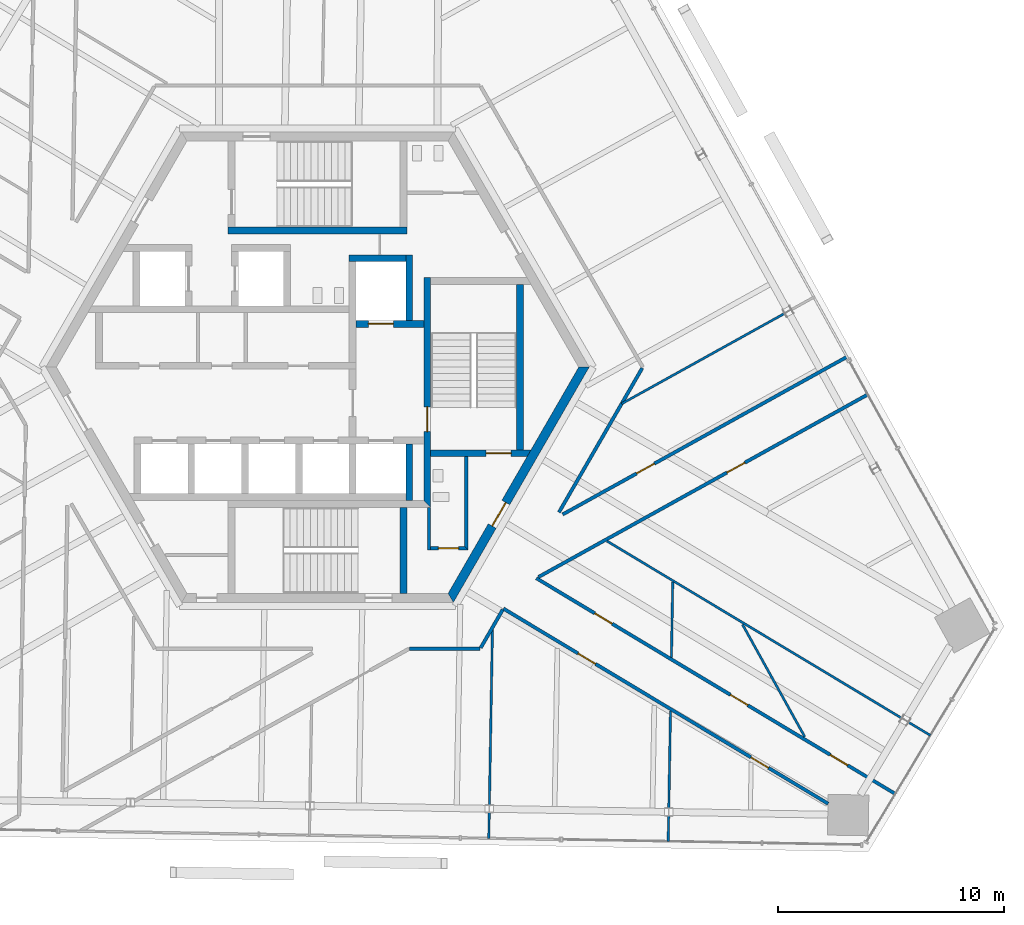
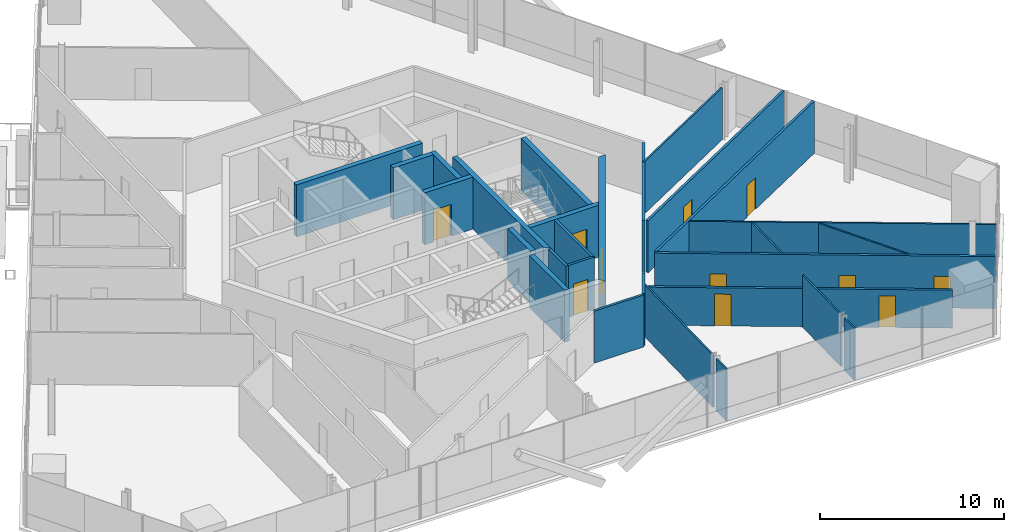
# One storey, part 13 of 18: 29 walls, 12 doors, 12 openings.
"""IFC4 building model written with IfcOpenShell, lengths in metres."""

from ifc_helpers import new_model, si_unit, direction, frame, frame_2d, origin, place, context, subcontext, project, spatial, polyline, rectangle, outline, extrude, source, transform, mapped, material, layer, layer_set, type_object, element, fill, save


model = new_model("IFC4")

# Units and contexts
model_context = context("Model", 3, precision=1e-05, world=origin(), true_north=direction((0.0, 1.0)))
body_context = subcontext(model_context, "Body", "Model", "MODEL_VIEW")
ifc_project = project(units=[si_unit("LENGTHUNIT", "METRE"), si_unit("AREAUNIT", "SQUARE_METRE"), si_unit("VOLUMEUNIT", "CUBIC_METRE"), si_unit("PLANEANGLEUNIT", "RADIAN"), si_unit("MASSUNIT", "GRAM", prefix="KILO")], contexts=[model_context])

# Site, building, storey
site_placement = place(None, origin())
site = spatial("IfcSite", under=ifc_project, at=site_placement, CompositionType="ELEMENT")
building_placement = place(site_placement, origin())
building = spatial("IfcBuilding", under=site, at=building_placement, Name="Triune Harvest Tower", CompositionType="ELEMENT")
storey_placement = place(building_placement, frame((0.0, 0.0, 197.89990234375)))
storey = spatial("IfcBuildingStorey", under=building, at=storey_placement, Name="L51", CompositionType="ELEMENT", Elevation=197.89990234375)

# Wall, openings, doors
ifc_material_1 = material(Name="Gypsum board on steel studs", Category="steel")
ifc_layer_1 = layer(ifc_material_1, 0.14990234375)
ifc_layer_set_1 = layer_set([ifc_layer_1], Name="Gypsum board on steel studs")
wall_type_1 = type_object("IfcWallType", Name="Fire Partition 150 mm", PredefinedType="PARTITIONING", material=ifc_layer_set_1)
wall_1_placement = place(storey_placement, frame((9.666015625, -9.32373046875, 0.0), z_axis=(0.0, 0.0, 1.0), x_axis=(0.857163175552, -0.51504494025, 0.0)))
wall_1 = element("IfcWall", 1, at=wall_1_placement, inside=storey, type_object=wall_type_1, Name="Partition L51 011", PredefinedType="PARTITIONING", context=body_context, shape_type="SweptSolid", body=[
    extrude(rectangle(XDim=18.49755859375, YDim=0.14990234375, at=frame_2d((9.248779296875, 0.0))), origin(), (0.0, 0.0, 1.0), 3.440185546875),
])
opening_1_placement = place(wall_1_placement, frame((3.009765625, 0.0, 0.0)))
opening_1 = element("IfcOpeningElement", 2, at=opening_1_placement, cuts=wall_1, Name="Opening L51-019", PredefinedType="OPENING", context=body_context, shape_type="SweptSolid", body=[
    extrude(rectangle(XDim=0.89990234375, YDim=2.10009765625, at=frame_2d((0.449951171875, 1.050048828125))), frame((0.0, 0.0849609375, 0.0), z_axis=(0.0, -1.0, 0.0), x_axis=(1.0, 0.0, 0.0)), (0.0, 0.0, 1.0), 0.169921875),
])
opening_2_placement = place(wall_1_placement, frame((9.998291015625, 0.0, 0.0)))
opening_2 = element("IfcOpeningElement", 3, at=opening_2_placement, cuts=wall_1, Name="Opening L51-020", PredefinedType="OPENING", context=body_context, shape_type="SweptSolid", body=[
    extrude(rectangle(XDim=0.89990234375, YDim=2.10009765625, at=frame_2d((0.449951171875, 1.050048828125))), frame((0.0, 0.0849609375, 0.0), z_axis=(0.0, -1.0, 0.0), x_axis=(1.0, 0.0, 0.0)), (0.0, 0.0, 1.0), 0.169921875),
])
opening_3_placement = place(wall_1_placement, frame((15.147705078125, 0.0, 0.0)))
opening_3 = element("IfcOpeningElement", 4, at=opening_3_placement, cuts=wall_1, Name="Opening L51-022", PredefinedType="OPENING", context=body_context, shape_type="SweptSolid", body=[
    extrude(rectangle(XDim=0.89990234375, YDim=2.10009765625, at=frame_2d((0.449951171875, 1.050048828125))), frame((0.0, 0.0849609375, 0.0), z_axis=(0.0, -1.0, 0.0), x_axis=(1.0, 0.0, 0.0)), (0.0, 0.0, 1.0), 0.169921875),
])
ifc_material_2 = material(Name="Timber and steel door set", Category="steel")
door_type_1 = type_object("IfcDoorType", Name="Single leaf door FD30 left hand 900 x 2100", OperationType="SINGLE_SWING_LEFT", PredefinedType="DOOR", material=ifc_material_2)
door_1_placement = place(opening_1_placement, origin())
door_1 = element("IfcDoor", 5, at=door_1_placement, inside=storey, type_object=door_type_1, Name="Door L51-019 Open Office 51.19", OperationType="SINGLE_SWING_LEFT", OverallHeight=2.10009765625, OverallWidth=0.89990234375, PredefinedType="DOOR", context=body_context, shape_type="SweptSolid", body=[
    extrude(rectangle(XDim=0.89990234375, YDim=2.10009765625, at=frame_2d((0.449951171875, 1.050048828125))), frame((0.0, 0.02490234375, 0.0), z_axis=(0.0, -1.0, 0.0), x_axis=(1.0, 0.0, 0.0)), (0.0, 0.0, 1.0), 0.050048828125),
])
fill(opening_1, door_1)
ifc_material_3 = material(Name="Timber and steel door set", Category="steel")
door_type_2 = type_object("IfcDoorType", Name="Single leaf door FD30 right hand 900 x 2100", OperationType="SINGLE_SWING_RIGHT", PredefinedType="DOOR", material=ifc_material_3)
door_2_placement = place(opening_2_placement, origin())
door_2 = element("IfcDoor", 6, at=door_2_placement, inside=storey, type_object=door_type_2, Name="Door L51-020 Dry Store Room 51.20", OperationType="SINGLE_SWING_RIGHT", OverallHeight=2.10009765625, OverallWidth=0.89990234375, PredefinedType="DOOR", context=body_context, shape_type="SweptSolid", body=[
    extrude(rectangle(XDim=0.89990234375, YDim=2.10009765625, at=frame_2d((0.449951171875, 1.050048828125))), frame((0.0, 0.02490234375, 0.0), z_axis=(0.0, -1.0, 0.0), x_axis=(1.0, 0.0, 0.0)), (0.0, 0.0, 1.0), 0.050048828125),
])
fill(opening_2, door_2)
door_3_placement = place(opening_3_placement, origin())
door_3 = element("IfcDoor", 7, at=door_3_placement, inside=storey, type_object=door_type_2, Name="Door L51-022 Open Office 51.22", OperationType="SINGLE_SWING_RIGHT", OverallHeight=2.10009765625, OverallWidth=0.89990234375, PredefinedType="DOOR", context=body_context, shape_type="SweptSolid", body=[
    extrude(rectangle(XDim=0.89990234375, YDim=2.10009765625, at=frame_2d((0.449951171875, 1.050048828125))), frame((0.0, 0.02490234375, 0.0), z_axis=(0.0, -1.0, 0.0), x_axis=(1.0, 0.0, 0.0)), (0.0, 0.0, 1.0), 0.050048828125),
])
fill(opening_3, door_3)

# Wall
wall_2_placement = place(storey_placement, frame((4.06005859375, -12.4423828125, 0.0), z_axis=(0.0, 0.0, 1.0), x_axis=(1.0, 0.0, 0.0)))
element("IfcWall", 8, at=wall_2_placement, inside=storey, type_object=wall_type_1, Name="Partition L51 022", PredefinedType="PARTITIONING", context=body_context, shape_type="SweptSolid", body=[
    extrude(rectangle(XDim=3.12353515625, YDim=0.14990234375, at=frame_2d((1.561767578125, 0.0))), origin(), (0.0, 0.0, 1.0), 3.440185546875),
])

# Wall, opening, door
wall_3_placement = place(storey_placement, frame((9.76220703125, -9.2705078125, 0.0), z_axis=(0.0, 0.0, 1.0), x_axis=(0.874617301304, 0.484813960462, 0.0)))
wall_3 = element("IfcWall", 9, at=wall_3_placement, inside=storey, type_object=wall_type_1, Name="Partition L51 026", PredefinedType="PARTITIONING", context=body_context, shape_type="SweptSolid", body=[
    extrude(rectangle(XDim=16.633056640625, YDim=0.14990234375, at=frame_2d((8.31640625, 0.0))), origin(), (0.0, 0.0, 1.0), 3.440185546875),
])
opening_4_placement = place(wall_3_placement, frame((9.519775390625, 0.0, 0.0)))
opening_4 = element("IfcOpeningElement", 10, at=opening_4_placement, cuts=wall_3, Name="Opening L51-002", PredefinedType="OPENING", context=body_context, shape_type="SweptSolid", body=[
    extrude(rectangle(XDim=0.89990234375, YDim=2.10009765625, at=frame_2d((0.449951171875, 1.050048828125))), frame((0.0, 0.0849609375, 0.0), z_axis=(0.0, -1.0, 0.0), x_axis=(1.0, 0.0, 0.0)), (0.0, 0.0, 1.0), 0.169921875),
])
door_4_placement = place(opening_4_placement, origin())
door_4 = element("IfcDoor", 11, at=door_4_placement, inside=storey, type_object=door_type_1, Name="Door L51-002 Office 51.02", OperationType="SINGLE_SWING_LEFT", OverallHeight=2.10009765625, OverallWidth=0.89990234375, PredefinedType="DOOR", context=body_context, shape_type="SweptSolid", body=[
    extrude(rectangle(XDim=0.89990234375, YDim=2.10009765625, at=frame_2d((0.449951171875, 1.050048828125))), frame((0.0, 0.02490234375, 0.0), z_axis=(0.0, -1.0, 0.0), x_axis=(1.0, 0.0, 0.0)), (0.0, 0.0, 1.0), 0.050048828125),
])
fill(opening_4, door_4)

wall_4_placement = place(storey_placement, frame((10.825927734375, -6.50830078125, 0.0), z_axis=(0.0, 0.0, 1.0), x_axis=(0.874624284817, 0.484801361806, 0.0)))
wall_4 = element("IfcWall", 12, at=wall_4_placement, inside=storey, type_object=wall_type_1, Name="Partition L51 029", PredefinedType="PARTITIONING", context=body_context, shape_type="SweptSolid", body=[
    extrude(rectangle(XDim=14.36376953125, YDim=0.14990234375, at=frame_2d((7.181884765625, 0.0))), origin(), (0.0, 0.0, 1.0), 3.440185546875),
])
opening_5_placement = place(wall_4_placement, frame((3.739013671875, 0.0, 0.0)))
opening_5 = element("IfcOpeningElement", 13, at=opening_5_placement, cuts=wall_4, Name="Opening L51-001", PredefinedType="OPENING", context=body_context, shape_type="SweptSolid", body=[
    extrude(rectangle(XDim=0.89990234375, YDim=2.10009765625, at=frame_2d((0.449951171875, 1.050048828125))), frame((0.0, 0.0849609375, 0.0), z_axis=(0.0, -1.0, 0.0), x_axis=(1.0, 0.0, 0.0)), (0.0, 0.0, 1.0), 0.169921875),
])
door_5_placement = place(opening_5_placement, origin())
door_5 = element("IfcDoor", 14, at=door_5_placement, inside=storey, type_object=door_type_1, Name="Door L51-001 Meeting Room 51.01", OperationType="SINGLE_SWING_LEFT", OverallHeight=2.10009765625, OverallWidth=0.89990234375, PredefinedType="DOOR", context=body_context, shape_type="SweptSolid", body=[
    extrude(rectangle(XDim=0.89990234375, YDim=2.10009765625, at=frame_2d((0.449951171875, 1.050048828125))), frame((0.0, 0.02490234375, 0.0), z_axis=(0.0, -1.0, 0.0), x_axis=(1.0, 0.0, 0.0)), (0.0, 0.0, 1.0), 0.050048828125),
])
fill(opening_5, door_5)

# Walls
wall_5_placement = place(storey_placement, frame((7.20849609375, -12.39892578125, 0.0), z_axis=(0.0, 0.0, 1.0), x_axis=(0.50001992892, 0.866013897511, 0.0)))
element("IfcWall", 15, at=wall_5_placement, inside=storey, type_object=wall_type_1, Name="Partition L51 033", PredefinedType="PARTITIONING", context=body_context, shape_type="SweptSolid", body=[
    extrude(rectangle(XDim=1.94189453125, YDim=0.14990234375, at=frame_2d((0.970947265625, 0.0))), origin(), (0.0, 0.0, 1.0), 3.440185546875),
])
wall_6_placement = place(storey_placement, frame((10.665283203125, -6.411865234375, 0.0), z_axis=(0.0, 0.0, 1.0), x_axis=(0.499981098153, 0.866036316496, 0.0)))
element("IfcWall", 16, at=wall_6_placement, inside=storey, type_object=wall_type_1, Name="Partition L51 034", PredefinedType="PARTITIONING", context=body_context, shape_type="SweptSolid", body=[
    extrude(rectangle(XDim=7.353759765625, YDim=0.14990234375, at=frame_2d((3.6767578125, 0.0))), origin(), (0.0, 0.0, 1.0), 3.440185546875),
])
ifc_material_4 = material(Name="Gypsum board on steel studs", Category="steel")
ifc_layer_2 = layer(ifc_material_4, 0.10009765625)
ifc_layer_set_2 = layer_set([ifc_layer_2], Name="Gypsum board on steel studs")
wall_type_2 = type_object("IfcWallType", Name="Partition 100 mm", PredefinedType="PARTITIONING", material=ifc_layer_set_2)
wall_7_placement = place(storey_placement, frame((18.772705078125, -11.367431640625, 0.0), z_axis=(0.0, 0.0, 1.0), x_axis=(0.484824835032, -0.874611273273, 0.0)))
element("IfcWall", 17, at=wall_7_placement, inside=storey, type_object=wall_type_2, Name="Partition L51 001", PredefinedType="PARTITIONING", context=body_context, shape_type="SweptSolid", body=[
    extrude(rectangle(XDim=5.67724609375, YDim=0.10009765625, at=frame_2d((2.838623046875, 0.0))), origin(), (0.0, 0.0, 1.0), 3.440185546875),
])
wall_8_placement = place(storey_placement, frame((12.78662109375, -7.68310546875, 0.0), z_axis=(0.0, 0.0, 1.0), x_axis=(0.857170922582, -0.515032047042, 0.0)))
element("IfcWall", 18, at=wall_8_placement, inside=storey, type_object=wall_type_2, Name="Partition L51 014", PredefinedType="PARTITIONING", context=body_context, shape_type="SweptSolid", body=[
    extrude(rectangle(XDim=15.194091796875, YDim=0.10009765625, at=frame_2d((7.59716796875, 0.0))), origin(), (0.0, 0.0, 1.0), 3.440185546875),
])
wall_9_placement = place(storey_placement, frame((13.433349609375, -1.617431640625, 0.0), z_axis=(0.0, 0.0, 1.0), x_axis=(0.874618165904, 0.484812400698, 0.0)))
element("IfcWall", 19, at=wall_9_placement, inside=storey, type_object=wall_type_2, Name="Partition L51 030", PredefinedType="PARTITIONING", context=body_context, shape_type="SweptSolid", body=[
    extrude(rectangle(XDim=8.238525390625, YDim=0.10009765625, at=frame_2d((4.119140625, 0.0))), origin(), (0.0, 0.0, 1.0), 3.440185546875),
])
wall_10_placement = place(storey_placement, frame((15.51708984375, -19.47705078125, 0.0), z_axis=(0.0, 0.0, 1.0), x_axis=(0.017430269064, 0.999848081321, 0.0)))
element("IfcWall", 20, at=wall_10_placement, inside=storey, type_object=wall_type_2, Name="Partition L51 038", PredefinedType="PARTITIONING", context=body_context, shape_type="SweptSolid", body=[
    extrude(rectangle(XDim=4.2861328125, YDim=0.10009765625, at=frame_2d((2.14306640625, 0.0))), origin(), (0.0, 0.0, 1.0), 3.440185546875),
])
wall_11_placement = place(storey_placement, frame((15.63330078125, -12.818359375, 0.0), z_axis=(0.0, 0.0, 1.0), x_axis=(0.01742766831, 0.999848126656, 0.0)))
element("IfcWall", 21, at=wall_11_placement, inside=storey, type_object=wall_type_2, Name="Partition L51 039", PredefinedType="PARTITIONING", context=body_context, shape_type="SweptSolid", body=[
    extrude(rectangle(XDim=3.320068359375, YDim=0.10009765625, at=frame_2d((1.66015625, 0.0))), origin(), (0.0, 0.0, 1.0), 3.440185546875),
])
wall_12_placement = place(storey_placement, frame((7.5908203125, -19.3388671875, 0.0), z_axis=(0.0, 0.0, 1.0), x_axis=(0.017469070781, 0.99984740414, 0.0)))
element("IfcWall", 22, at=wall_12_placement, inside=storey, type_object=wall_type_2, Name="Partition L51 041", PredefinedType="PARTITIONING", context=body_context, shape_type="SweptSolid", body=[
    extrude(rectangle(XDim=7.84033203125, YDim=0.10009765625, at=frame_2d((3.920166015625, 0.0))), origin(), (0.0, 0.0, 1.0), 3.440185546875),
])

# Wall, opening, door
ifc_material_5 = material(Name="Concrete 70 MPa", Category="concrete")
ifc_layer_3 = layer(ifc_material_5, 0.39990234375)
ifc_layer_set_3 = layer_set([ifc_layer_3], Name="Concrete 70 MPa")
wall_type_3 = type_object("IfcWallType", Name="Core wall 400", PredefinedType="SHEAR", material=ifc_layer_set_3)
shared_shape_1 = source(origin(), body_context, "Body", "SweptSolid", [
    extrude(outline(polyline([(-0.115478515625, -0.199951171875), (11.884521484375, -0.199951171875), (11.653564453125, 0.199951171875), (0.115478515625, 0.199951171875), (-0.115478515625, -0.199951171875)])), origin(), (0.0, 0.0, 1.0), 3.440185546875),
])
wall_13_placement = place(storey_placement, frame((5.884521484375, -10.1923828125, 0.0), z_axis=(0.0, 0.0, 1.0), x_axis=(0.499996592174, 0.866027371285, 0.0)))
wall_13 = element("IfcWall", 23, at=wall_13_placement, inside=storey, type_object=wall_type_3, Name="Hexagon 5 wall", PredefinedType="SHEAR", context=body_context, shape_type="MappedRepresentation", body=[
    mapped(shared_shape_1, transform((0.0, 0.0, 0.0), scale=1.0)),
])
opening_6_placement = place(wall_13_placement, frame((3.66455078125, 0.0, 0.0)))
opening_6 = element("IfcOpeningElement", 24, at=opening_6_placement, cuts=wall_13, Name="Opening CD-DP", PredefinedType="OPENING", context=body_context, shape_type="SweptSolid", body=[
    extrude(rectangle(XDim=1.199951171875, YDim=2.10009765625, at=frame_2d((0.60009765625, 1.050048828125))), frame((0.0, 0.2099609375, 0.0), z_axis=(0.0, -1.0, 0.0), x_axis=(1.0, 0.0, 0.0)), (0.0, 0.0, 1.0), 0.419921875),
])
ifc_material_6 = material(Name="Steel S235", Category="steel")
door_type_3 = type_object("IfcDoorType", Name="Stair door 1200 FD120", OperationType="SINGLE_SWING_LEFT", PredefinedType="DOOR", material=ifc_material_6)
door_6_placement = place(opening_6_placement, frame((1.199951171875, 0.0, 0.0), z_axis=(0.0, 0.0, 1.0), x_axis=(-1.0, 0.0, 0.0)))
door_6 = element("IfcDoor", 25, at=door_6_placement, inside=storey, type_object=door_type_3, Name="Door CD-DP", OperationType="SINGLE_SWING_RIGHT", OverallHeight=2.10009765625, OverallWidth=1.199951171875, PredefinedType="DOOR", context=body_context, shape_type="SweptSolid", body=[
    extrude(rectangle(XDim=1.199951171875, YDim=2.10009765625, at=frame_2d((0.60009765625, 1.050048828125))), frame((0.0, 0.02490234375, 0.0), z_axis=(0.0, -1.0, 0.0), x_axis=(1.0, 0.0, 0.0)), (0.0, 0.0, 1.0), 0.050048828125),
])
fill(opening_6, door_6)

# Walls
ifc_material_7 = material(Name="Concrete 70 MPa", Category="concrete")
ifc_layer_4 = layer(ifc_material_7, 0.300048828125)
ifc_layer_set_4 = layer_set([ifc_layer_4], Name="Concrete 70 MPa")
wall_type_4 = type_object("IfcWallType", Name="Core wall 300", PredefinedType="SHEAR", material=ifc_layer_set_4)
shared_shape_2 = source(origin(), body_context, "Body", "SweptSolid", [
    extrude(rectangle(XDim=2.5, YDim=0.300048828125, at=frame_2d((1.25, 0.0))), origin(), (0.0, 0.0, 1.0), 3.440185546875),
])
for number, where, z_axis, x_axis, name in (
    (26, (1.39990234375, 4.81005859375, 0.0), (0.0, 0.0, 1.0), (1.0, 0.0, 0.0), "Ff1 back wall"),
    (27, (4.050048828125, -5.889892578125, 0.0), (0.0, 0.0, 1.0), (0.0, 1.0, 0.0), "Ff2 east wall"),
):
    element("IfcWall", number, at=place(storey_placement, frame(where, z_axis=z_axis, x_axis=x_axis)), inside=storey, type_object=wall_type_4, Name=name, PredefinedType="SHEAR", context=body_context, shape_type="MappedRepresentation", body=[
        mapped(shared_shape_2, transform((0.0, 0.0, 0.0), scale=1.0)),
    ])

# Wall, opening, door
shared_shape_3 = source(origin(), body_context, "Body", "SweptSolid", [
    extrude(rectangle(XDim=3.0, YDim=0.300048828125, at=frame_2d((1.5, 0.0))), origin(), (0.0, 0.0, 1.0), 3.440185546875),
])
wall_14_placement = place(storey_placement, frame((1.699951171875, 1.909912109375, 0.0), z_axis=(0.0, 0.0, 1.0), x_axis=(1.0, 0.0, 0.0)))
wall_14 = element("IfcWall", 28, at=wall_14_placement, inside=storey, type_object=wall_type_4, Name="Ff1 front wall", PredefinedType="SHEAR", context=body_context, shape_type="MappedRepresentation", body=[
    mapped(shared_shape_3, transform((0.0, 0.0, 0.0), scale=1.0)),
])
opening_7_placement = place(wall_14_placement, frame((0.550048828125, 0.0, 0.0)))
opening_7 = element("IfcOpeningElement", 29, at=opening_7_placement, cuts=wall_14, Name="Opening LD-FF1-51", PredefinedType="OPENING", context=body_context, shape_type="SweptSolid", body=[
    extrude(rectangle(XDim=1.10009765625, YDim=2.10009765625, at=frame_2d((0.550048828125, 1.050048828125))), frame((0.0, 0.16015625, 0.0), z_axis=(0.0, -1.0, 0.0), x_axis=(1.0, 0.0, 0.0)), (0.0, 0.0, 1.0), 0.320068359375),
])
ifc_material_8 = material(Name="Stainless steel AISI 304", Category="steel")
door_type_4 = type_object("IfcDoorType", Name="Landing door 1100 x 2100", OperationType="DOUBLE_DOOR_SLIDING", PredefinedType="DOOR", material=ifc_material_8)
door_7_placement = place(opening_7_placement, origin())
door_7 = element("IfcDoor", 30, at=door_7_placement, inside=storey, type_object=door_type_4, Name="Door LD-FF1-51", OperationType="DOUBLE_DOOR_SLIDING", OverallHeight=2.10009765625, OverallWidth=1.10009765625, PredefinedType="DOOR", context=body_context, shape_type="SweptSolid", body=[
    extrude(rectangle(XDim=1.10009765625, YDim=2.10009765625, at=frame_2d((0.550048828125, 1.050048828125))), frame((0.0, 0.02490234375, 0.0), z_axis=(0.0, -1.0, 0.0), x_axis=(1.0, 0.0, 0.0)), (0.0, 0.0, 1.0), 0.050048828125),
])
fill(opening_7, door_7)

# Wall
shared_shape_4 = source(origin(), body_context, "Body", "SweptSolid", [
    extrude(rectangle(XDim=2.89990234375, YDim=0.300048828125, at=frame_2d((1.449951171875, 0.0))), origin(), (0.0, 0.0, 1.0), 3.440185546875),
])
wall_15_placement = place(storey_placement, frame((4.050048828125, 2.06005859375, 0.0), z_axis=(0.0, 0.0, 1.0), x_axis=(0.0, 1.0, 0.0)))
element("IfcWall", 31, at=wall_15_placement, inside=storey, type_object=wall_type_4, Name="Ff1 east wall", PredefinedType="SHEAR", context=body_context, shape_type="MappedRepresentation", body=[
    mapped(shared_shape_4, transform((0.0, 0.0, 0.0), scale=1.0)),
])

# Wall, opening, door
shared_shape_5 = source(origin(), body_context, "Body", "SweptSolid", [
    extrude(outline(polyline([(-0.14990234375, -0.14990234375), (9.989990234375, -0.14990234375), (9.989990234375, 0.14990234375), (0.14990234375, 0.14990234375), (-0.14990234375, -0.14990234375)])), origin(), (0.0, 0.0, 1.0), 3.440185546875),
])
wall_16_placement = place(storey_placement, frame((4.85009765625, -6.0400390625, 0.0), z_axis=(0.0, 0.0, 1.0), x_axis=(0.0, 1.0, 0.0)))
wall_16 = element("IfcWall", 32, at=wall_16_placement, inside=storey, type_object=wall_type_4, Name="Stair e west wall", PredefinedType="SHEAR", context=body_context, shape_type="MappedRepresentation", body=[
    mapped(shared_shape_5, transform((0.0, 0.0, 0.0), scale=1.0)),
])
opening_8_placement = place(wall_16_placement, frame((3.18994140625, 0.0, 0.0)))
opening_8 = element("IfcOpeningElement", 33, at=opening_8_placement, cuts=wall_16, Name="Opening CD-S3L", PredefinedType="OPENING", context=body_context, shape_type="SweptSolid", body=[
    extrude(rectangle(XDim=1.10009765625, YDim=2.10009765625, at=frame_2d((0.550048828125, 1.050048828125))), frame((0.0, 0.16015625, 0.0), z_axis=(0.0, -1.0, 0.0), x_axis=(1.0, 0.0, 0.0)), (0.0, 0.0, 1.0), 0.320068359375),
])
ifc_material_9 = material(Name="Steel S235", Category="steel")
door_type_5 = type_object("IfcDoorType", Name="Stair door 1100 FD120", OperationType="SINGLE_SWING_LEFT", PredefinedType="DOOR", material=ifc_material_9)
door_8_placement = place(opening_8_placement, frame((1.10009765625, 0.0, 0.0), z_axis=(0.0, 0.0, 1.0), x_axis=(-1.0, 0.0, 0.0)))
door_8 = element("IfcDoor", 34, at=door_8_placement, inside=storey, type_object=door_type_5, Name="Door CD-S3L", OperationType="SINGLE_SWING_RIGHT", OverallHeight=2.10009765625, OverallWidth=1.10009765625, PredefinedType="DOOR", context=body_context, shape_type="SweptSolid", body=[
    extrude(rectangle(XDim=1.10009765625, YDim=2.10009765625, at=frame_2d((0.550048828125, 1.050048828125))), frame((0.0, 0.02490234375, 0.0), z_axis=(0.0, -1.0, 0.0), x_axis=(1.0, 0.0, 0.0)), (0.0, 0.0, 1.0), 0.050048828125),
])
fill(opening_8, door_8)

shared_shape_6 = source(origin(), body_context, "Body", "SweptSolid", [
    extrude(outline(polyline([(0.0, -0.14990234375), (0.0, 0.14990234375), (4.43310546875, 0.14990234375), (4.260009765625, -0.14990234375), (0.0, -0.14990234375)])), origin(), (0.0, 0.0, 1.0), 3.440185546875),
])
wall_17_placement = place(storey_placement, frame((5.0, -3.800048828125, 0.0), z_axis=(0.0, 0.0, 1.0), x_axis=(1.0, 0.0, 0.0)))
wall_17 = element("IfcWall", 35, at=wall_17_placement, inside=storey, type_object=wall_type_4, Name="Stair e south wall", PredefinedType="SHEAR", context=body_context, shape_type="MappedRepresentation", body=[
    mapped(shared_shape_6, transform((0.0, 0.0, 0.0), scale=1.0)),
])
opening_9_placement = place(wall_17_placement, frame((2.449951171875, 0.0, 0.0)))
opening_9 = element("IfcOpeningElement", 36, at=opening_9_placement, cuts=wall_17, Name="Opening CD-S3D", PredefinedType="OPENING", context=body_context, shape_type="SweptSolid", body=[
    extrude(rectangle(XDim=1.10009765625, YDim=2.10009765625, at=frame_2d((0.550048828125, 1.050048828125))), frame((0.0, 0.16015625, 0.0), z_axis=(0.0, -1.0, 0.0), x_axis=(1.0, 0.0, 0.0)), (0.0, 0.0, 1.0), 0.320068359375),
])
door_9_placement = place(opening_9_placement, frame((1.10009765625, 0.0, 0.0), z_axis=(0.0, 0.0, 1.0), x_axis=(-1.0, 0.0, 0.0)))
door_9 = element("IfcDoor", 37, at=door_9_placement, inside=storey, type_object=door_type_5, Name="Door CD-S3D", OperationType="SINGLE_SWING_RIGHT", OverallHeight=2.10009765625, OverallWidth=1.10009765625, PredefinedType="DOOR", context=body_context, shape_type="SweptSolid", body=[
    extrude(rectangle(XDim=1.10009765625, YDim=2.10009765625, at=frame_2d((0.550048828125, 1.050048828125))), frame((0.0, 0.02490234375, 0.0), z_axis=(0.0, -1.0, 0.0), x_axis=(1.0, 0.0, 0.0)), (0.0, 0.0, 1.0), 0.050048828125),
])
fill(opening_9, door_9)

# Walls
shared_shape_7 = source(origin(), body_context, "Body", "SweptSolid", [
    extrude(rectangle(XDim=7.2998046875, YDim=0.300048828125, at=frame_2d((3.64990234375, 0.0))), origin(), (0.0, 0.0, 1.0), 3.440185546875),
])
wall_18_placement = place(storey_placement, frame((8.949951171875, -3.64990234375, 0.0), z_axis=(0.0, 0.0, 1.0), x_axis=(0.0, 1.0, 0.0)))
element("IfcWall", 38, at=wall_18_placement, inside=storey, type_object=wall_type_4, Name="Stair e east wall", PredefinedType="SHEAR", context=body_context, shape_type="MappedRepresentation", body=[
    mapped(shared_shape_7, transform((0.0, 0.0, 0.0), scale=1.0)),
])
shared_shape_8 = source(origin(), body_context, "Body", "SweptSolid", [
    extrude(rectangle(XDim=7.89990234375, YDim=0.300048828125, at=frame_2d((3.949951171875, 0.0))), origin(), (0.0, 0.0, 1.0), 3.440185546875),
])
wall_19_placement = place(storey_placement, frame((-3.949951171875, 6.0400390625, 0.0), z_axis=(0.0, 0.0, 1.0), x_axis=(1.0, 0.0, 0.0)))
element("IfcWall", 39, at=wall_19_placement, inside=storey, type_object=wall_type_4, Name="Stair n south wall", PredefinedType="SHEAR", context=body_context, shape_type="MappedRepresentation", body=[
    mapped(shared_shape_8, transform((0.0, 0.0, 0.0), scale=1.0)),
])
shared_shape_9 = source(origin(), body_context, "Body", "SweptSolid", [
    extrude(outline(polyline([(3.800048828125, -0.14990234375), (-0.00439453125, -0.14990234375), (-0.00439453125, 0.14990234375), (3.800048828125, 0.14990234375), (3.800048828125, -0.14990234375)])), origin(), (0.0, 0.0, 1.0), 3.440185546875),
])
wall_20_placement = place(storey_placement, frame((3.800048828125, -9.989990234375, 0.0), z_axis=(0.0, 0.0, 1.0), x_axis=(0.0, 1.0, 0.0)))
element("IfcWall", 40, at=wall_20_placement, inside=storey, type_object=wall_type_4, Name="Stair s east wall", PredefinedType="SHEAR", context=body_context, shape_type="MappedRepresentation", body=[
    mapped(shared_shape_9, transform((0.0, 0.0, 0.0), scale=1.0)),
])

# Wall, opening, door
ifc_material_10 = material(Name="Concrete masonry unit", Category="masonry")
ifc_layer_5 = layer(ifc_material_10, 0.14990234375)
ifc_layer_set_5 = layer_set([ifc_layer_5], Name="Concrete masonry unit")
wall_type_5 = type_object("IfcWallType", Name="Block partition 150 unrated", PredefinedType="PARTITIONING", material=ifc_layer_set_5)
shared_shape_10 = source(origin(), body_context, "Body", "SweptSolid", [
    extrude(outline(polyline([(0.0, -0.074951171875), (1.64990234375, -0.074951171875), (1.5, 0.074951171875), (0.0, 0.074951171875), (0.0, -0.074951171875)])), origin(), (0.0, 0.0, 1.0), 3.440185546875),
])
wall_21_placement = place(storey_placement, frame((5.0, -8.0, 0.0), z_axis=(0.0, 0.0, 1.0), x_axis=(1.0, 0.0, 0.0)))
wall_21 = element("IfcWall", 41, at=wall_21_placement, inside=storey, type_object=wall_type_5, Name="Wc acc south wall", PredefinedType="PARTITIONING", context=body_context, shape_type="MappedRepresentation", body=[
    mapped(shared_shape_10, transform((0.0, 0.0, 0.0), scale=1.0)),
])
opening_10_placement = place(wall_21_placement, frame((0.33740234375, 0.0, 0.0)))
opening_10 = element("IfcOpeningElement", 42, at=opening_10_placement, cuts=wall_21, Name="Opening CD-WA", PredefinedType="OPENING", context=body_context, shape_type="SweptSolid", body=[
    extrude(rectangle(XDim=0.89990234375, YDim=2.10009765625, at=frame_2d((0.449951171875, 1.050048828125))), frame((0.0, 0.0849609375, 0.0), z_axis=(0.0, -1.0, 0.0), x_axis=(1.0, 0.0, 0.0)), (0.0, 0.0, 1.0), 0.169921875),
])
ifc_material_11 = material(Name="Timber C24", Category="wood")
door_type_6 = type_object("IfcDoorType", Name="WC door 900", OperationType="SINGLE_SWING_LEFT", PredefinedType="DOOR", material=ifc_material_11)
door_10_placement = place(opening_10_placement, origin())
door_10 = element("IfcDoor", 43, at=door_10_placement, inside=storey, type_object=door_type_6, Name="Door CD-WA", OperationType="SINGLE_SWING_LEFT", OverallHeight=2.10009765625, OverallWidth=0.89990234375, PredefinedType="DOOR", context=body_context, shape_type="SweptSolid", body=[
    extrude(rectangle(XDim=0.89990234375, YDim=2.10009765625, at=frame_2d((0.449951171875, 1.050048828125))), frame((0.0, 0.02490234375, 0.0), z_axis=(0.0, -1.0, 0.0), x_axis=(1.0, 0.0, 0.0)), (0.0, 0.0, 1.0), 0.050048828125),
])
fill(opening_10, door_10)

# Walls
shared_shape_11 = source(origin(), body_context, "Body", "SweptSolid", [
    extrude(outline(polyline([(-0.074951171875, -0.074951171875), (4.050048828125, -0.074951171875), (4.050048828125, 0.074951171875), (0.074951171875, 0.074951171875), (-0.074951171875, -0.074951171875)])), origin(), (0.0, 0.0, 1.0), 3.440185546875),
])
wall_22_placement = place(storey_placement, frame((6.574951171875, -8.0, 0.0), z_axis=(0.0, 0.0, 1.0), x_axis=(0.0, 1.0, 0.0)))
element("IfcWall", 44, at=wall_22_placement, inside=storey, type_object=wall_type_5, Name="Wc acc east wall", PredefinedType="PARTITIONING", context=body_context, shape_type="MappedRepresentation", body=[
    mapped(shared_shape_11, transform((0.0, 0.0, 0.0), scale=1.0)),
])
shared_shape_12 = source(origin(), body_context, "Body", "SweptSolid", [
    extrude(rectangle(XDim=1.885009765625, YDim=0.14990234375, at=frame_2d((0.9423828125, 0.0))), origin(), (0.0, 0.0, 1.0), 3.440185546875),
])
wall_23_placement = place(storey_placement, frame((4.925048828125, -8.074951171875, 0.0), z_axis=(0.0, 0.0, 1.0), x_axis=(0.0, 1.0, 0.0)))
element("IfcWall", 45, at=wall_23_placement, inside=storey, type_object=wall_type_5, Name="Wc acc west wall", PredefinedType="PARTITIONING", context=body_context, shape_type="MappedRepresentation", body=[
    mapped(shared_shape_12, transform((0.0, 0.0, 0.0), scale=1.0)),
])
shared_shape_13 = source(origin(), body_context, "Body", "SweptSolid", [
    extrude(rectangle(XDim=1.13037109375, YDim=0.10009765625, at=frame_2d((0.565185546875, 0.0))), origin(), (0.0, 0.0, 1.0), 3.440185546875),
])
for number, where, z_axis, x_axis, name in (
    (46, (26.104736328125, -15.685302734375, 0.0), (0.0, 0.0, 1.0), (0.857149738065, -0.515067302919, 0.0), "Partition L51 015"),
    (47, (15.4912109375, -20.950439453125, 0.0), (0.0, 0.0, 1.0), (0.017495701451, 0.999846938501, 0.0), "Partition L51 037"),
):
    element("IfcWall", number, at=place(storey_placement, frame(where, z_axis=z_axis, x_axis=x_axis)), inside=storey, type_object=wall_type_2, Name=name, PredefinedType="PARTITIONING", context=body_context, shape_type="MappedRepresentation", body=[
        mapped(shared_shape_13, transform((0.0, 0.0, 0.0), scale=1.0)),
    ])
shared_shape_14 = source(origin(), body_context, "Body", "SweptSolid", [
    extrude(rectangle(XDim=1.130615234375, YDim=0.10009765625, at=frame_2d((0.5654296875, 0.0))), origin(), (0.0, 0.0, 1.0), 3.440185546875),
])
wall_24_placement = place(storey_placement, frame((7.565185546875, -20.812255859375, 0.0), z_axis=(0.0, 0.0, 1.0), x_axis=(0.017491923839, 0.999847004596, 0.0)))
element("IfcWall", 48, at=wall_24_placement, inside=storey, type_object=wall_type_2, Name="Partition L51 040", PredefinedType="PARTITIONING", context=body_context, shape_type="MappedRepresentation", body=[
    mapped(shared_shape_14, transform((0.0, 0.0, 0.0), scale=1.0)),
])

# Wall, openings, doors
shared_shape_15 = source(origin(), body_context, "Body", "SweptSolid", [
    extrude(rectangle(XDim=16.73974609375, YDim=0.14990234375, at=frame_2d((8.369873046875, 0.0))), origin(), (0.0, 0.0, 1.0), 2.51806640625),
])
wall_25_placement = place(storey_placement, frame((8.209716796875, -10.665283203125, 0.0), z_axis=(0.0, 0.0, 1.0), x_axis=(0.857176193442, -0.515023274616, 0.0)))
wall_25 = element("IfcWall", 49, at=wall_25_placement, inside=storey, type_object=wall_type_1, Name="Partition L51 009", PredefinedType="PARTITIONING", context=body_context, shape_type="MappedRepresentation", body=[
    mapped(shared_shape_15, transform((0.0, 0.0, 0.0), scale=1.0)),
])
opening_11_placement = place(wall_25_placement, frame((3.849853515625, 0.0, 0.0)))
opening_11 = element("IfcOpeningElement", 50, at=opening_11_placement, cuts=wall_25, Name="Opening L51-018", PredefinedType="OPENING", context=body_context, shape_type="SweptSolid", body=[
    extrude(rectangle(XDim=0.89990234375, YDim=2.10009765625, at=frame_2d((0.449951171875, 1.050048828125))), frame((0.0, 0.0849609375, 0.0), z_axis=(0.0, -1.0, 0.0), x_axis=(1.0, 0.0, 0.0)), (0.0, 0.0, 1.0), 0.169921875),
])
opening_12_placement = place(wall_25_placement, frame((12.763916015625, 0.0, 0.0)))
opening_12 = element("IfcOpeningElement", 51, at=opening_12_placement, cuts=wall_25, Name="Opening L51-021", PredefinedType="OPENING", context=body_context, shape_type="SweptSolid", body=[
    extrude(rectangle(XDim=0.89990234375, YDim=2.10009765625, at=frame_2d((0.449951171875, 1.050048828125))), frame((0.0, 0.0849609375, 0.0), z_axis=(0.0, -1.0, 0.0), x_axis=(1.0, 0.0, 0.0)), (0.0, 0.0, 1.0), 0.169921875),
])
door_11_placement = place(opening_12_placement, origin())
door_11 = element("IfcDoor", 52, at=door_11_placement, inside=storey, type_object=door_type_1, Name="Door L51-021 Pantry 51.21", OperationType="SINGLE_SWING_LEFT", OverallHeight=2.10009765625, OverallWidth=0.89990234375, PredefinedType="DOOR", context=body_context, shape_type="SweptSolid", body=[
    extrude(rectangle(XDim=0.89990234375, YDim=2.10009765625, at=frame_2d((0.449951171875, 1.050048828125))), frame((0.0, 0.02490234375, 0.0), z_axis=(0.0, -1.0, 0.0), x_axis=(1.0, 0.0, 0.0)), (0.0, 0.0, 1.0), 0.050048828125),
])
fill(opening_12, door_11)
door_12_placement = place(opening_11_placement, origin())
door_12 = element("IfcDoor", 53, at=door_12_placement, inside=storey, type_object=door_type_2, Name="Door L51-018 Open Office 51.18", OperationType="SINGLE_SWING_RIGHT", OverallHeight=2.10009765625, OverallWidth=0.89990234375, PredefinedType="DOOR", context=body_context, shape_type="SweptSolid", body=[
    extrude(rectangle(XDim=0.89990234375, YDim=2.10009765625, at=frame_2d((0.449951171875, 1.050048828125))), frame((0.0, 0.02490234375, 0.0), z_axis=(0.0, -1.0, 0.0), x_axis=(1.0, 0.0, 0.0)), (0.0, 0.0, 1.0), 0.050048828125),
])
fill(opening_11, door_12)

save(model, "model.ifc")
